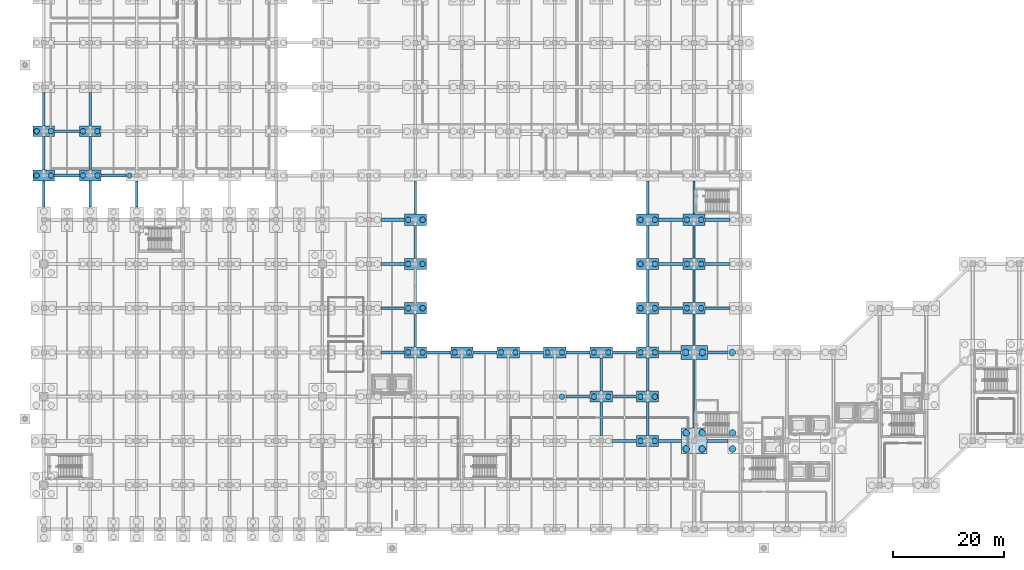
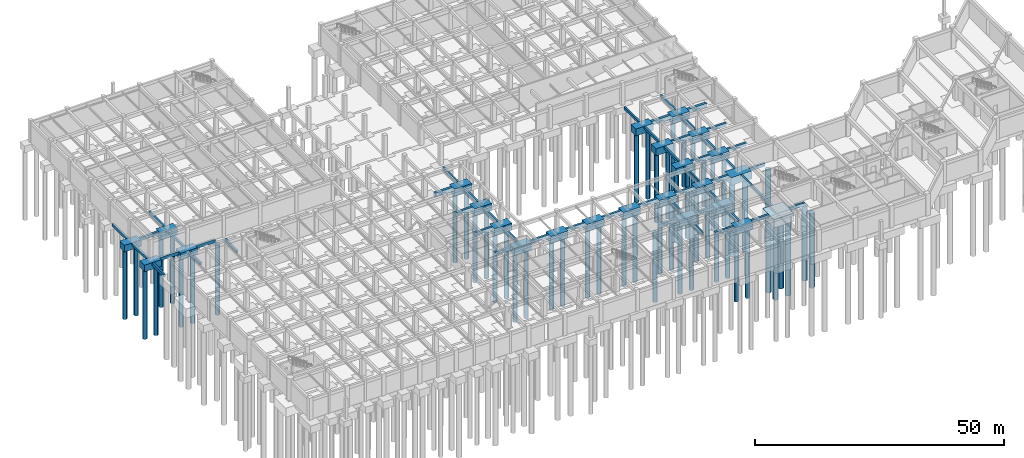
# One storey, part 5 of 56: 73 footings, 55 piles.
"""IFC4 building model written with IfcOpenShell, lengths in metres."""

from ifc_helpers import new_model, si_unit, direction, frame, origin, origin_2d, place, context, subcontext, project, spatial, rectangle, circle, extrude, material, material_profile, profile_set, type_object, element, save


model = new_model("IFC4")

# Units and contexts
model_context = context("Model", 3, precision=1e-05, world=origin(), true_north=direction((0.0, 1.0)))
body_context = subcontext(model_context, "Body", "Model", "MODEL_VIEW")
ifc_project = project(units=[si_unit("LENGTHUNIT", "METRE"), si_unit("AREAUNIT", "SQUARE_METRE"), si_unit("VOLUMEUNIT", "CUBIC_METRE"), si_unit("PLANEANGLEUNIT", "RADIAN"), si_unit("MASSUNIT", "GRAM", prefix="KILO")], contexts=[model_context])

# Site, building, storey
site_placement = place(None, origin())
site = spatial("IfcSite", under=ifc_project, at=site_placement, CompositionType="ELEMENT")
building_placement = place(site_placement, origin())
building = spatial("IfcBuilding", under=site, at=building_placement, Name="Naruveol Harbour Congress Hotel", CompositionType="ELEMENT")
storey_placement = place(building_placement, frame((0.0, 0.0, -5.39990234375)))
storey = spatial("IfcBuildingStorey", under=building, at=storey_placement, Name="B01", CompositionType="ELEMENT", Elevation=-5.39990234375)

# Piles
ifc_material_1 = material(Name="Concrete C40/50", Category="concrete")
ifc_material_profile_1 = material_profile(ifc_material_1, circle(Radius=0.5, at=origin_2d()), Name="BP-1000")
ifc_profile_set_1 = profile_set([ifc_material_profile_1], Name="Concrete C40/50")
pile_type_1 = type_object("IfcPileType", Name="BORED ROCK SOCKETED PILE D1000", PredefinedType="BORED", material=ifc_profile_set_1)
for number, where, z_axis, x_axis, name in (
    (1, (-1.300048828125, 64.0, -1.4501953125), (0.0, 0.0, -1.0), (1.0, 0.0, 0.0), "Bored pile BP-1000 #1 under FTG-CAP-0000-0640"),
    (2, (1.300048828125, 64.0, -1.4501953125), (0.0, 0.0, -1.0), (1.0, 0.0, 0.0), "Bored pile BP-1000 #2 under FTG-CAP-0000-0640"),
    (3, (-1.300048828125, 72.0, -1.4501953125), (0.0, 0.0, -1.0), (1.0, 0.0, 0.0), "Bored pile BP-1000 #1 under FTG-CAP-0000-0720"),
    (4, (1.300048828125, 72.0, -1.4501953125), (0.0, 0.0, -1.0), (1.0, 0.0, 0.0), "Bored pile BP-1000 #2 under FTG-CAP-0000-0720"),
    (5, (7.10009765625, 64.0, -1.4501953125), (0.0, 0.0, -1.0), (1.0, 0.0, 0.0), "Bored pile BP-1000 #1 under FTG-CAP-0084-0640"),
    (6, (9.699951171875, 64.0, -1.4501953125), (0.0, 0.0, -1.0), (1.0, 0.0, 0.0), "Bored pile BP-1000 #2 under FTG-CAP-0084-0640"),
    (7, (7.10009765625, 72.0, -1.4501953125), (0.0, 0.0, -1.0), (1.0, 0.0, 0.0), "Bored pile BP-1000 #1 under FTG-CAP-0084-0720"),
    (8, (9.699951171875, 72.0, -1.4501953125), (0.0, 0.0, -1.0), (1.0, 0.0, 0.0), "Bored pile BP-1000 #2 under FTG-CAP-0084-0720"),
    (9, (15.5, 64.0, -1.4501953125), (0.0, 0.0, -1.0), (1.0, 0.0, 0.0), "Bored pile BP-1000 #1 under FTG-CAP-0168-0640"),
):
    element("IfcPile", number, at=place(storey_placement, frame(where, z_axis=z_axis, x_axis=x_axis)), inside=storey, type_object=pile_type_1, Name=name, PredefinedType="BORED", context=body_context, shape_type="SweptSolid", body=[
        extrude(circle(Radius=0.5, at=origin_2d()), origin(), (0.0, 0.0, 1.0), 17.14990234375),
    ])
for number, where, z_axis, x_axis, name in (
    (10, (65.89990234375, 32.0, -1.550048828125), (0.0, 0.0, -1.0), (1.0, 0.0, 0.0), "Bored pile BP-1000 #1 under FTG-CAP-0672-0320"),
    (11, (68.5, 32.0, -1.550048828125), (0.0, 0.0, -1.0), (1.0, 0.0, 0.0), "Bored pile BP-1000 #2 under FTG-CAP-0672-0320"),
    (12, (65.89990234375, 40.0, -1.550048828125), (0.0, 0.0, -1.0), (1.0, 0.0, 0.0), "Bored pile BP-1000 #1 under FTG-CAP-0672-0400"),
    (13, (68.5, 40.0, -1.550048828125), (0.0, 0.0, -1.0), (1.0, 0.0, 0.0), "Bored pile BP-1000 #2 under FTG-CAP-0672-0400"),
    (14, (65.89990234375, 48.0, -1.550048828125), (0.0, 0.0, -1.0), (1.0, 0.0, 0.0), "Bored pile BP-1000 #1 under FTG-CAP-0672-0480"),
    (15, (68.5, 48.0, -1.550048828125), (0.0, 0.0, -1.0), (1.0, 0.0, 0.0), "Bored pile BP-1000 #2 under FTG-CAP-0672-0480"),
    (16, (65.89990234375, 56.0, -1.550048828125), (0.0, 0.0, -1.0), (1.0, 0.0, 0.0), "Bored pile BP-1000 #1 under FTG-CAP-0672-0560"),
    (17, (68.5, 56.0, -1.550048828125), (0.0, 0.0, -1.0), (1.0, 0.0, 0.0), "Bored pile BP-1000 #2 under FTG-CAP-0672-0560"),
    (18, (74.300048828125, 32.0, -1.550048828125), (0.0, 0.0, -1.0), (1.0, 0.0, 0.0), "Bored pile BP-1000 #1 under FTG-CAP-0756-0320"),
    (19, (76.89990234375, 32.0, -1.550048828125), (0.0, 0.0, -1.0), (1.0, 0.0, 0.0), "Bored pile BP-1000 #2 under FTG-CAP-0756-0320"),
    (20, (82.699951171875, 32.0, -1.550048828125), (0.0, 0.0, -1.0), (1.0, 0.0, 0.0), "Bored pile BP-1000 #1 under FTG-CAP-0840-0320"),
    (21, (85.300048828125, 32.0, -1.550048828125), (0.0, 0.0, -1.0), (1.0, 0.0, 0.0), "Bored pile BP-1000 #2 under FTG-CAP-0840-0320"),
    (22, (93.699951171875, 24.0, -1.550048828125), (0.0, 0.0, -1.0), (1.0, 0.0, 0.0), "Bored pile BP-1000 #2 under FTG-CAP-0924-0240"),
    (23, (91.10009765625, 32.0, -1.550048828125), (0.0, 0.0, -1.0), (1.0, 0.0, 0.0), "Bored pile BP-1000 #1 under FTG-CAP-0924-0320"),
    (24, (93.699951171875, 32.0, -1.550048828125), (0.0, 0.0, -1.0), (1.0, 0.0, 0.0), "Bored pile BP-1000 #2 under FTG-CAP-0924-0320"),
    (25, (99.5, 24.0, -1.550048828125), (0.0, 0.0, -1.0), (1.0, 0.0, 0.0), "Bored pile BP-1000 #1 under FTG-CAP-1008-0240"),
    (26, (102.10009765625, 24.0, -1.550048828125), (0.0, 0.0, -1.0), (1.0, 0.0, 0.0), "Bored pile BP-1000 #2 under FTG-CAP-1008-0240"),
    (27, (99.5, 32.0, -1.550048828125), (0.0, 0.0, -1.0), (1.0, 0.0, 0.0), "Bored pile BP-1000 #1 under FTG-CAP-1008-0320"),
    (28, (102.10009765625, 32.0, -1.550048828125), (0.0, 0.0, -1.0), (1.0, 0.0, 0.0), "Bored pile BP-1000 #2 under FTG-CAP-1008-0320"),
    (29, (107.89990234375, 16.0, -1.550048828125), (0.0, 0.0, -1.0), (1.0, 0.0, 0.0), "Bored pile BP-1000 #1 under FTG-CAP-1092-0160"),
    (30, (110.5, 16.0, -1.550048828125), (0.0, 0.0, -1.0), (1.0, 0.0, 0.0), "Bored pile BP-1000 #2 under FTG-CAP-1092-0160"),
    (31, (107.89990234375, 24.0, -1.550048828125), (0.0, 0.0, -1.0), (1.0, 0.0, 0.0), "Bored pile BP-1000 #1 under FTG-CAP-1092-0240"),
    (32, (110.5, 24.0, -1.550048828125), (0.0, 0.0, -1.0), (1.0, 0.0, 0.0), "Bored pile BP-1000 #2 under FTG-CAP-1092-0240"),
    (33, (107.89990234375, 32.0, -1.550048828125), (0.0, 0.0, -1.0), (1.0, 0.0, 0.0), "Bored pile BP-1000 #1 under FTG-CAP-1092-0320"),
    (34, (110.5, 32.0, -1.550048828125), (0.0, 0.0, -1.0), (1.0, 0.0, 0.0), "Bored pile BP-1000 #2 under FTG-CAP-1092-0320"),
    (35, (107.89990234375, 40.0, -1.550048828125), (0.0, 0.0, -1.0), (1.0, 0.0, 0.0), "Bored pile BP-1000 #1 under FTG-CAP-1092-0400"),
    (36, (110.5, 40.0, -1.550048828125), (0.0, 0.0, -1.0), (1.0, 0.0, 0.0), "Bored pile BP-1000 #2 under FTG-CAP-1092-0400"),
    (37, (107.89990234375, 48.0, -1.550048828125), (0.0, 0.0, -1.0), (1.0, 0.0, 0.0), "Bored pile BP-1000 #1 under FTG-CAP-1092-0480"),
    (38, (110.5, 48.0, -1.550048828125), (0.0, 0.0, -1.0), (1.0, 0.0, 0.0), "Bored pile BP-1000 #2 under FTG-CAP-1092-0480"),
    (39, (107.89990234375, 56.0, -1.550048828125), (0.0, 0.0, -1.0), (1.0, 0.0, 0.0), "Bored pile BP-1000 #1 under FTG-CAP-1092-0560"),
    (40, (110.5, 56.0, -1.550048828125), (0.0, 0.0, -1.0), (1.0, 0.0, 0.0), "Bored pile BP-1000 #2 under FTG-CAP-1092-0560"),
    (41, (116.300048828125, 40.0, -1.550048828125), (0.0, 0.0, -1.0), (1.0, 0.0, 0.0), "Bored pile BP-1000 #1 under FTG-CAP-1176-0400"),
    (42, (118.89990234375, 40.0, -1.550048828125), (0.0, 0.0, -1.0), (1.0, 0.0, 0.0), "Bored pile BP-1000 #2 under FTG-CAP-1176-0400"),
    (43, (116.300048828125, 48.0, -1.550048828125), (0.0, 0.0, -1.0), (1.0, 0.0, 0.0), "Bored pile BP-1000 #1 under FTG-CAP-1176-0480"),
    (44, (118.89990234375, 48.0, -1.550048828125), (0.0, 0.0, -1.0), (1.0, 0.0, 0.0), "Bored pile BP-1000 #2 under FTG-CAP-1176-0480"),
    (45, (116.300048828125, 56.0, -1.550048828125), (0.0, 0.0, -1.0), (1.0, 0.0, 0.0), "Bored pile BP-1000 #1 under FTG-CAP-1176-0560"),
    (46, (118.89990234375, 56.0, -1.550048828125), (0.0, 0.0, -1.0), (1.0, 0.0, 0.0), "Bored pile BP-1000 #2 under FTG-CAP-1176-0560"),
):
    element("IfcPile", number, at=place(storey_placement, frame(where, z_axis=z_axis, x_axis=x_axis)), inside=storey, type_object=pile_type_1, Name=name, PredefinedType="BORED", context=body_context, shape_type="SweptSolid", body=[
        extrude(circle(Radius=0.5, at=origin_2d()), origin(), (0.0, 0.0, 1.0), 17.050048828125),
    ])
ifc_material_2 = material(Name="Concrete C40/50", Category="concrete")
ifc_material_profile_2 = material_profile(ifc_material_2, circle(Radius=0.60009765625, at=origin_2d()), Name="BP-1200")
ifc_profile_set_2 = profile_set([ifc_material_profile_2], Name="Concrete C40/50")
pile_type_2 = type_object("IfcPileType", Name="BORED ROCK SOCKETED PILE D1200", PredefinedType="BORED", material=ifc_profile_set_2)
for number, where, z_axis, x_axis, name in (
    (47, (116.14990234375, 14.550048828125, -1.85009765625), (0.0, 0.0, -1.0), (1.0, 0.0, 0.0), "Bored pile BP-1200 #1 under FTG-CAP-1176-0160"),
    (48, (119.050048828125, 14.550048828125, -1.85009765625), (0.0, 0.0, -1.0), (1.0, 0.0, 0.0), "Bored pile BP-1200 #2 under FTG-CAP-1176-0160"),
    (49, (116.14990234375, 17.449951171875, -1.85009765625), (0.0, 0.0, -1.0), (1.0, 0.0, 0.0), "Bored pile BP-1200 #3 under FTG-CAP-1176-0160"),
    (50, (119.050048828125, 17.449951171875, -1.85009765625), (0.0, 0.0, -1.0), (1.0, 0.0, 0.0), "Bored pile BP-1200 #4 under FTG-CAP-1176-0160"),
):
    element("IfcPile", number, at=place(storey_placement, frame(where, z_axis=z_axis, x_axis=x_axis)), inside=storey, type_object=pile_type_2, Name=name, PredefinedType="BORED", context=body_context, shape_type="SweptSolid", body=[
        extrude(circle(Radius=0.60009765625, at=origin_2d()), origin(), (0.0, 0.0, 1.0), 18.25),
    ])
for number, where, z_axis, x_axis, name in (
    (51, (116.10009765625, 32.0, -1.75), (0.0, 0.0, -1.0), (1.0, 0.0, 0.0), "Bored pile BP-1200 #1 under FTG-CAP-1176-0320"),
    (52, (119.10009765625, 32.0, -1.75), (0.0, 0.0, -1.0), (1.0, 0.0, 0.0), "Bored pile BP-1200 #2 under FTG-CAP-1176-0320"),
):
    element("IfcPile", number, at=place(storey_placement, frame(where, z_axis=z_axis, x_axis=x_axis)), inside=storey, type_object=pile_type_2, Name=name, PredefinedType="BORED", context=body_context, shape_type="SweptSolid", body=[
        extrude(circle(Radius=0.60009765625, at=origin_2d()), origin(), (0.0, 0.0, 1.0), 18.35009765625),
    ])
for number, where, z_axis, x_axis, name in (
    (53, (124.550048828125, 14.550048828125, -1.85009765625), (0.0, 0.0, -1.0), (1.0, 0.0, 0.0), "Bored pile BP-1200 #1 under FTG-CAP-1260-0160"),
    (54, (124.550048828125, 17.449951171875, -1.85009765625), (0.0, 0.0, -1.0), (1.0, 0.0, 0.0), "Bored pile BP-1200 #3 under FTG-CAP-1260-0160"),
):
    element("IfcPile", number, at=place(storey_placement, frame(where, z_axis=z_axis, x_axis=x_axis)), inside=storey, type_object=pile_type_2, Name=name, PredefinedType="BORED", context=body_context, shape_type="SweptSolid", body=[
        extrude(circle(Radius=0.60009765625, at=origin_2d()), origin(), (0.0, 0.0, 1.0), 18.25),
    ])
pile_placement = place(storey_placement, frame((124.5, 32.0, -1.75), z_axis=(0.0, 0.0, -1.0), x_axis=(1.0, 0.0, 0.0)))
element("IfcPile", 55, at=pile_placement, inside=storey, type_object=pile_type_2, Name="Bored pile BP-1200 #1 under FTG-CAP-1260-0320", PredefinedType="BORED", context=body_context, shape_type="SweptSolid", body=[
    extrude(circle(Radius=0.60009765625, at=origin_2d()), origin(), (0.0, 0.0, 1.0), 18.35009765625),
])

# Footings
ifc_material_3 = material(Name="Concrete C40/50", Category="concrete")
ifc_material_profile_3 = material_profile(ifc_material_3, rectangle(XDim=0.39990234375, YDim=0.64990234375, at=origin_2d()), Name="RCB-400x650")
ifc_profile_set_3 = profile_set([ifc_material_profile_3], Name="Concrete C40/50")
footing_type_1 = type_object("IfcFootingType", Name="RC COLONNADE TIE BEAM 400X650", PredefinedType="FOOTING_BEAM", material=ifc_profile_set_3)
footing_1_placement = place(storey_placement, frame((8.39990234375, 58.300048828125, -0.3251953125), z_axis=(0.0, 1.0, 0.0), x_axis=(-1.0, 0.0, 0.0)))
element("IfcFooting", 56, at=footing_1_placement, inside=storey, type_object=footing_type_1, Name="Foundation tie beam TB4 #247", PredefinedType="FOOTING_BEAM", context=body_context, shape_type="SweptSolid", body=[
    extrude(rectangle(XDim=0.39990234375, YDim=0.64990234375, at=origin_2d()), origin(), (0.0, 0.0, 1.0), 4.75),
])
for number, where, z_axis, x_axis, name in (
    (57, (8.39990234375, 64.949951171875, -0.3251953125), (0.0, 1.0, 0.0), (-1.0, 0.0, 0.0), "Foundation tie beam TB4 #248"),
    (58, (8.39990234375, 72.949951171875, -0.3251953125), (0.0, 1.0, 0.0), (-1.0, 0.0, 0.0), "Foundation tie beam TB4 #249"),
):
    element("IfcFooting", number, at=place(storey_placement, frame(where, z_axis=z_axis, x_axis=x_axis)), inside=storey, type_object=footing_type_1, Name=name, PredefinedType="FOOTING_BEAM", context=body_context, shape_type="SweptSolid", body=[
        extrude(rectangle(XDim=0.39990234375, YDim=0.64990234375, at=origin_2d()), origin(), (0.0, 0.0, 1.0), 6.10009765625),
    ])
footing_2_placement = place(storey_placement, frame((16.800048828125, 58.300048828125, -0.3251953125), z_axis=(0.0, 1.0, 0.0), x_axis=(-1.0, 0.0, 0.0)))
element("IfcFooting", 59, at=footing_2_placement, inside=storey, type_object=footing_type_1, Name="Foundation tie beam TB4 #261", PredefinedType="FOOTING_BEAM", context=body_context, shape_type="SweptSolid", body=[
    extrude(rectangle(XDim=0.39990234375, YDim=0.64990234375, at=origin_2d()), origin(), (0.0, 0.0, 1.0), 4.75),
])
for number, where, z_axis, x_axis, name in (
    (60, (67.199951171875, 33.0, -0.3251953125), (0.0, 1.0, 0.0), (-1.0, 0.0, 0.0), "Foundation tie beam TB4 #338"),
    (61, (67.199951171875, 41.0, -0.3251953125), (0.0, 1.0, 0.0), (-1.0, 0.0, 0.0), "Foundation tie beam TB4 #339"),
    (62, (67.199951171875, 49.0, -0.3251953125), (0.0, 1.0, 0.0), (-1.0, 0.0, 0.0), "Foundation tie beam TB4 #340"),
    (63, (67.199951171875, 57.0, -0.3251953125), (0.0, 1.0, 0.0), (-1.0, 0.0, 0.0), "Foundation tie beam TB4 #341"),
    (64, (100.800048828125, 17.0, -0.3251953125), (0.0, 1.0, 0.0), (-1.0, 0.0, 0.0), "Foundation tie beam TB4 #380"),
    (65, (100.800048828125, 25.0, -0.3251953125), (0.0, 1.0, 0.0), (-1.0, 0.0, 0.0), "Foundation tie beam TB4 #381"),
    (66, (109.199951171875, 17.0, -0.3251953125), (0.0, 1.0, 0.0), (-1.0, 0.0, 0.0), "Foundation tie beam TB4 #390"),
    (67, (109.199951171875, 25.0, -0.3251953125), (0.0, 1.0, 0.0), (-1.0, 0.0, 0.0), "Foundation tie beam TB4 #391"),
    (68, (109.199951171875, 33.0, -0.3251953125), (0.0, 1.0, 0.0), (-1.0, 0.0, 0.0), "Foundation tie beam TB4 #392"),
    (69, (109.199951171875, 41.0, -0.3251953125), (0.0, 1.0, 0.0), (-1.0, 0.0, 0.0), "Foundation tie beam TB4 #393"),
    (70, (109.199951171875, 49.0, -0.3251953125), (0.0, 1.0, 0.0), (-1.0, 0.0, 0.0), "Foundation tie beam TB4 #394"),
    (71, (109.199951171875, 57.0, -0.3251953125), (0.0, 1.0, 0.0), (-1.0, 0.0, 0.0), "Foundation tie beam TB4 #395"),
):
    element("IfcFooting", number, at=place(storey_placement, frame(where, z_axis=z_axis, x_axis=x_axis)), inside=storey, type_object=footing_type_1, Name=name, PredefinedType="FOOTING_BEAM", context=body_context, shape_type="SweptSolid", body=[
        extrude(rectangle(XDim=0.39990234375, YDim=0.64990234375, at=origin_2d()), origin(), (0.0, 0.0, 1.0), 6.0),
    ])
footing_3_placement = place(storey_placement, frame((117.60009765625, 18.300048828125, -0.3251953125), z_axis=(0.0, 1.0, 0.0), x_axis=(-1.0, 0.0, 0.0)))
element("IfcFooting", 72, at=footing_3_placement, inside=storey, type_object=footing_type_1, Name="Foundation tie beam TB4 #404", PredefinedType="FOOTING_BEAM", context=body_context, shape_type="SweptSolid", body=[
    extrude(rectangle(XDim=0.39990234375, YDim=0.64990234375, at=origin_2d()), origin(), (0.0, 0.0, 1.0), 12.39990234375),
])
footing_4_placement = place(storey_placement, frame((117.60009765625, 33.300048828125, -0.3251953125), z_axis=(0.0, 1.0, 0.0), x_axis=(-1.0, 0.0, 0.0)))
element("IfcFooting", 73, at=footing_4_placement, inside=storey, type_object=footing_type_1, Name="Foundation tie beam TB4 #405", PredefinedType="FOOTING_BEAM", context=body_context, shape_type="SweptSolid", body=[
    extrude(rectangle(XDim=0.39990234375, YDim=0.64990234375, at=origin_2d()), origin(), (0.0, 0.0, 1.0), 5.699951171875),
])
for number, where, z_axis, x_axis, name in (
    (74, (117.60009765625, 41.0, -0.3251953125), (0.0, 1.0, 0.0), (-1.0, 0.0, 0.0), "Foundation tie beam TB4 #406"),
    (75, (117.60009765625, 49.0, -0.3251953125), (0.0, 1.0, 0.0), (-1.0, 0.0, 0.0), "Foundation tie beam TB4 #407"),
    (76, (117.60009765625, 57.0, -0.3251953125), (0.0, 1.0, 0.0), (-1.0, 0.0, 0.0), "Foundation tie beam TB4 #408"),
):
    element("IfcFooting", number, at=place(storey_placement, frame(where, z_axis=z_axis, x_axis=x_axis)), inside=storey, type_object=footing_type_1, Name=name, PredefinedType="FOOTING_BEAM", context=body_context, shape_type="SweptSolid", body=[
        extrude(rectangle(XDim=0.39990234375, YDim=0.64990234375, at=origin_2d()), origin(), (0.0, 0.0, 1.0), 6.0),
    ])
ifc_material_4 = material(Name="Concrete C40/50", Category="concrete")
ifc_material_profile_4 = material_profile(ifc_material_4, rectangle(XDim=0.5, YDim=0.75, at=origin_2d()), Name="RCB-500x750")
ifc_profile_set_4 = profile_set([ifc_material_profile_4], Name="Concrete C40/50")
footing_type_2 = type_object("IfcFootingType", Name="RC FOUNDATION TIE BEAM 500X750", PredefinedType="FOOTING_BEAM", material=ifc_profile_set_4)
footing_5_placement = place(storey_placement, frame((102.800048828125, 16.0, -0.375), z_axis=(1.0, 0.0, 0.0), x_axis=(0.0, 1.0, 0.0)))
element("IfcFooting", 77, at=footing_5_placement, inside=storey, type_object=footing_type_2, Name="Foundation tie beam TB2 #51", PredefinedType="FOOTING_BEAM", context=body_context, shape_type="SweptSolid", body=[
    extrude(rectangle(XDim=0.5, YDim=0.75, at=origin_2d()), origin(), (0.0, 0.0, 1.0), 4.39990234375),
])
footing_6_placement = place(storey_placement, frame((111.199951171875, 16.0, -0.375), z_axis=(1.0, 0.0, 0.0), x_axis=(0.0, 1.0, 0.0)))
element("IfcFooting", 78, at=footing_6_placement, inside=storey, type_object=footing_type_2, Name="Foundation tie beam TB2 #52", PredefinedType="FOOTING_BEAM", context=body_context, shape_type="SweptSolid", body=[
    extrude(rectangle(XDim=0.5, YDim=0.75, at=origin_2d()), origin(), (0.0, 0.0, 1.0), 4.10009765625),
])
footing_7_placement = place(storey_placement, frame((119.89990234375, 16.0, -0.375), z_axis=(1.0, 0.0, 0.0), x_axis=(0.0, 1.0, 0.0)))
element("IfcFooting", 79, at=footing_7_placement, inside=storey, type_object=footing_type_2, Name="Foundation tie beam TB2 #53", PredefinedType="FOOTING_BEAM", context=body_context, shape_type="SweptSolid", body=[
    extrude(rectangle(XDim=0.5, YDim=0.75, at=origin_2d()), origin(), (0.0, 0.0, 1.0), 3.800048828125),
])
footing_8_placement = place(storey_placement, frame((94.39990234375, 24.0, -0.375), z_axis=(1.0, 0.0, 0.0), x_axis=(0.0, 1.0, 0.0)))
element("IfcFooting", 80, at=footing_8_placement, inside=storey, type_object=footing_type_2, Name="Foundation tie beam TB2 #68", PredefinedType="FOOTING_BEAM", context=body_context, shape_type="SweptSolid", body=[
    extrude(rectangle(XDim=0.5, YDim=0.75, at=origin_2d()), origin(), (0.0, 0.0, 1.0), 4.400146484375),
])
footing_9_placement = place(storey_placement, frame((102.800048828125, 24.0, -0.375), z_axis=(1.0, 0.0, 0.0), x_axis=(0.0, 1.0, 0.0)))
element("IfcFooting", 81, at=footing_9_placement, inside=storey, type_object=footing_type_2, Name="Foundation tie beam TB2 #69", PredefinedType="FOOTING_BEAM", context=body_context, shape_type="SweptSolid", body=[
    extrude(rectangle(XDim=0.5, YDim=0.75, at=origin_2d()), origin(), (0.0, 0.0, 1.0), 4.39990234375),
])
footing_10_placement = place(storey_placement, frame((61.10009765625, 32.0, -0.375), z_axis=(1.0, 0.0, 0.0), x_axis=(0.0, 1.0, 0.0)))
element("IfcFooting", 82, at=footing_10_placement, inside=storey, type_object=footing_type_2, Name="Foundation tie beam TB2 #78", PredefinedType="FOOTING_BEAM", context=body_context, shape_type="SweptSolid", body=[
    extrude(rectangle(XDim=0.5, YDim=0.75, at=origin_2d()), origin(), (0.0, 0.0, 1.0), 4.099853515625),
])
footing_11_placement = place(storey_placement, frame((69.199951171875, 32.0, -0.375), z_axis=(1.0, 0.0, 0.0), x_axis=(0.0, 1.0, 0.0)))
element("IfcFooting", 83, at=footing_11_placement, inside=storey, type_object=footing_type_2, Name="Foundation tie beam TB2 #79", PredefinedType="FOOTING_BEAM", context=body_context, shape_type="SweptSolid", body=[
    extrude(rectangle(XDim=0.5, YDim=0.75, at=origin_2d()), origin(), (0.0, 0.0, 1.0), 4.400146484375),
])
for number, where, z_axis, x_axis, name in (
    (84, (77.60009765625, 32.0, -0.375), (1.0, 0.0, 0.0), (0.0, 1.0, 0.0), "Foundation tie beam TB2 #80"),
    (85, (86.0, 32.0, -0.375), (1.0, 0.0, 0.0), (0.0, 1.0, 0.0), "Foundation tie beam TB2 #81"),
):
    element("IfcFooting", number, at=place(storey_placement, frame(where, z_axis=z_axis, x_axis=x_axis)), inside=storey, type_object=footing_type_2, Name=name, PredefinedType="FOOTING_BEAM", context=body_context, shape_type="SweptSolid", body=[
        extrude(rectangle(XDim=0.5, YDim=0.75, at=origin_2d()), origin(), (0.0, 0.0, 1.0), 4.39990234375),
    ])
footing_12_placement = place(storey_placement, frame((94.39990234375, 32.0, -0.375), z_axis=(1.0, 0.0, 0.0), x_axis=(0.0, 1.0, 0.0)))
element("IfcFooting", 86, at=footing_12_placement, inside=storey, type_object=footing_type_2, Name="Foundation tie beam TB2 #82", PredefinedType="FOOTING_BEAM", context=body_context, shape_type="SweptSolid", body=[
    extrude(rectangle(XDim=0.5, YDim=0.75, at=origin_2d()), origin(), (0.0, 0.0, 1.0), 4.400146484375),
])
footing_13_placement = place(storey_placement, frame((102.800048828125, 32.0, -0.375), z_axis=(1.0, 0.0, 0.0), x_axis=(0.0, 1.0, 0.0)))
element("IfcFooting", 87, at=footing_13_placement, inside=storey, type_object=footing_type_2, Name="Foundation tie beam TB2 #83", PredefinedType="FOOTING_BEAM", context=body_context, shape_type="SweptSolid", body=[
    extrude(rectangle(XDim=0.5, YDim=0.75, at=origin_2d()), origin(), (0.0, 0.0, 1.0), 4.39990234375),
])
footing_14_placement = place(storey_placement, frame((111.199951171875, 32.0, -0.375), z_axis=(1.0, 0.0, 0.0), x_axis=(0.0, 1.0, 0.0)))
element("IfcFooting", 88, at=footing_14_placement, inside=storey, type_object=footing_type_2, Name="Foundation tie beam TB2 #84", PredefinedType="FOOTING_BEAM", context=body_context, shape_type="SweptSolid", body=[
    extrude(rectangle(XDim=0.5, YDim=0.75, at=origin_2d()), origin(), (0.0, 0.0, 1.0), 4.0),
])
footing_15_placement = place(storey_placement, frame((120.0, 32.0, -0.375), z_axis=(1.0, 0.0, 0.0), x_axis=(0.0, 1.0, 0.0)))
element("IfcFooting", 89, at=footing_15_placement, inside=storey, type_object=footing_type_2, Name="Foundation tie beam TB2 #85", PredefinedType="FOOTING_BEAM", context=body_context, shape_type="SweptSolid", body=[
    extrude(rectangle(XDim=0.5, YDim=0.75, at=origin_2d()), origin(), (0.0, 0.0, 1.0), 3.60009765625),
])
footing_16_placement = place(storey_placement, frame((61.10009765625, 40.0, -0.375), z_axis=(1.0, 0.0, 0.0), x_axis=(0.0, 1.0, 0.0)))
element("IfcFooting", 90, at=footing_16_placement, inside=storey, type_object=footing_type_2, Name="Foundation tie beam TB2 #96", PredefinedType="FOOTING_BEAM", context=body_context, shape_type="SweptSolid", body=[
    extrude(rectangle(XDim=0.5, YDim=0.75, at=origin_2d()), origin(), (0.0, 0.0, 1.0), 4.099853515625),
])
footing_17_placement = place(storey_placement, frame((111.199951171875, 40.0, -0.375), z_axis=(1.0, 0.0, 0.0), x_axis=(0.0, 1.0, 0.0)))
element("IfcFooting", 91, at=footing_17_placement, inside=storey, type_object=footing_type_2, Name="Foundation tie beam TB2 #97", PredefinedType="FOOTING_BEAM", context=body_context, shape_type="SweptSolid", body=[
    extrude(rectangle(XDim=0.5, YDim=0.75, at=origin_2d()), origin(), (0.0, 0.0, 1.0), 4.400146484375),
])
footing_18_placement = place(storey_placement, frame((119.60009765625, 40.0, -0.375), z_axis=(1.0, 0.0, 0.0), x_axis=(0.0, 1.0, 0.0)))
element("IfcFooting", 92, at=footing_18_placement, inside=storey, type_object=footing_type_2, Name="Foundation tie beam TB2 #98", PredefinedType="FOOTING_BEAM", context=body_context, shape_type="SweptSolid", body=[
    extrude(rectangle(XDim=0.5, YDim=0.75, at=origin_2d()), origin(), (0.0, 0.0, 1.0), 4.39990234375),
])
footing_19_placement = place(storey_placement, frame((61.10009765625, 48.0, -0.375), z_axis=(1.0, 0.0, 0.0), x_axis=(0.0, 1.0, 0.0)))
element("IfcFooting", 93, at=footing_19_placement, inside=storey, type_object=footing_type_2, Name="Foundation tie beam TB2 #107", PredefinedType="FOOTING_BEAM", context=body_context, shape_type="SweptSolid", body=[
    extrude(rectangle(XDim=0.5, YDim=0.75, at=origin_2d()), origin(), (0.0, 0.0, 1.0), 4.099853515625),
])
footing_20_placement = place(storey_placement, frame((111.199951171875, 48.0, -0.375), z_axis=(1.0, 0.0, 0.0), x_axis=(0.0, 1.0, 0.0)))
element("IfcFooting", 94, at=footing_20_placement, inside=storey, type_object=footing_type_2, Name="Foundation tie beam TB2 #108", PredefinedType="FOOTING_BEAM", context=body_context, shape_type="SweptSolid", body=[
    extrude(rectangle(XDim=0.5, YDim=0.75, at=origin_2d()), origin(), (0.0, 0.0, 1.0), 4.400146484375),
])
footing_21_placement = place(storey_placement, frame((119.60009765625, 48.0, -0.375), z_axis=(1.0, 0.0, 0.0), x_axis=(0.0, 1.0, 0.0)))
element("IfcFooting", 95, at=footing_21_placement, inside=storey, type_object=footing_type_2, Name="Foundation tie beam TB2 #109", PredefinedType="FOOTING_BEAM", context=body_context, shape_type="SweptSolid", body=[
    extrude(rectangle(XDim=0.5, YDim=0.75, at=origin_2d()), origin(), (0.0, 0.0, 1.0), 4.39990234375),
])
for number, where, z_axis, x_axis, name in (
    (96, (1.949951171875, 64.0, -0.375), (1.0, 0.0, 0.0), (0.0, 1.0, 0.0), "Foundation tie beam TB2 #127"),
    (97, (10.35009765625, 64.0, -0.375), (1.0, 0.0, 0.0), (0.0, 1.0, 0.0), "Foundation tie beam TB2 #128"),
    (98, (1.949951171875, 72.0, -0.375), (1.0, 0.0, 0.0), (0.0, 1.0, 0.0), "Foundation tie beam TB2 #142"),
):
    element("IfcFooting", number, at=place(storey_placement, frame(where, z_axis=z_axis, x_axis=x_axis)), inside=storey, type_object=footing_type_2, Name=name, PredefinedType="FOOTING_BEAM", context=body_context, shape_type="SweptSolid", body=[
        extrude(rectangle(XDim=0.5, YDim=0.75, at=origin_2d()), origin(), (0.0, 0.0, 1.0), 4.5),
    ])
ifc_material_5 = material(Name="Concrete C40/50", Category="concrete")
ifc_material_profile_5 = material_profile(ifc_material_5, rectangle(XDim=0.60009765625, YDim=0.949951171875, at=origin_2d()), Name="RCB-600x950")
ifc_profile_set_5 = profile_set([ifc_material_profile_5], Name="Concrete C40/50")
footing_type_3 = type_object("IfcFootingType", Name="RC FOUNDATION TIE BEAM 600X900", PredefinedType="FOOTING_BEAM", material=ifc_profile_set_5)
footing_22_placement = place(storey_placement, frame((61.10009765625, 56.0, -0.47509765625), z_axis=(1.0, 0.0, 0.0), x_axis=(0.0, 1.0, 0.0)))
element("IfcFooting", 99, at=footing_22_placement, inside=storey, type_object=footing_type_3, Name="Foundation tie beam TB1 #124", PredefinedType="FOOTING_BEAM", context=body_context, shape_type="SweptSolid", body=[
    extrude(rectangle(XDim=0.60009765625, YDim=0.949951171875, at=origin_2d()), origin(), (0.0, 0.0, 1.0), 4.099853515625),
])
footing_23_placement = place(storey_placement, frame((111.199951171875, 56.0, -0.47509765625), z_axis=(1.0, 0.0, 0.0), x_axis=(0.0, 1.0, 0.0)))
element("IfcFooting", 100, at=footing_23_placement, inside=storey, type_object=footing_type_3, Name="Foundation tie beam TB1 #125", PredefinedType="FOOTING_BEAM", context=body_context, shape_type="SweptSolid", body=[
    extrude(rectangle(XDim=0.60009765625, YDim=0.949951171875, at=origin_2d()), origin(), (0.0, 0.0, 1.0), 4.400146484375),
])
footing_24_placement = place(storey_placement, frame((119.60009765625, 56.0, -0.47509765625), z_axis=(1.0, 0.0, 0.0), x_axis=(0.0, 1.0, 0.0)))
element("IfcFooting", 101, at=footing_24_placement, inside=storey, type_object=footing_type_3, Name="Foundation tie beam TB1 #126", PredefinedType="FOOTING_BEAM", context=body_context, shape_type="SweptSolid", body=[
    extrude(rectangle(XDim=0.60009765625, YDim=0.949951171875, at=origin_2d()), origin(), (0.0, 0.0, 1.0), 4.39990234375),
])
ifc_material_6 = material(Name="Concrete C40/50", Category="concrete")
footing_type_4 = type_object("IfcFootingType", Name="RC HOTEL PILE CAP 4600X4600X2000", PredefinedType="PILE_CAP", material=ifc_material_6)
footing_25_placement = place(storey_placement, frame((117.60009765625, 16.0, -2.0), z_axis=(0.0, 0.0, 1.0), x_axis=(1.0, 0.0, 0.0)))
element("IfcFooting", 102, at=footing_25_placement, inside=storey, type_object=footing_type_4, Name="Pile cap PC3 at (117.6, 16.0)", PredefinedType="PILE_CAP", context=body_context, shape_type="SweptSolid", body=[
    extrude(rectangle(XDim=4.60009765625, YDim=4.60009765625, at=origin_2d()), origin(), (0.0, 0.0, 1.0), 2.0),
])
ifc_material_7 = material(Name="Concrete C40/50", Category="concrete")
ifc_material_profile_6 = material_profile(ifc_material_7, rectangle(XDim=0.449951171875, YDim=0.699951171875, at=origin_2d()), Name="RCB-450x700")
ifc_profile_set_6 = profile_set([ifc_material_profile_6], Name="Concrete C40/50")
footing_type_5 = type_object("IfcFootingType", Name="RC PERIMETER GRADE BEAM 450X700", PredefinedType="FOOTING_BEAM", material=ifc_profile_set_6)
footing_26_placement = place(storey_placement, frame((0.0, 58.300048828125, -0.35009765625), z_axis=(0.0, 1.0, 0.0), x_axis=(-1.0, 0.0, 0.0)))
element("IfcFooting", 103, at=footing_26_placement, inside=storey, type_object=footing_type_5, Name="Foundation tie beam TB3 #233", PredefinedType="FOOTING_BEAM", context=body_context, shape_type="SweptSolid", body=[
    extrude(rectangle(XDim=0.449951171875, YDim=0.699951171875, at=origin_2d()), origin(), (0.0, 0.0, 1.0), 4.75),
])
for number, where, z_axis, x_axis, name in (
    (104, (0.0, 64.949951171875, -0.35009765625), (0.0, 1.0, 0.0), (-1.0, 0.0, 0.0), "Foundation tie beam TB3 #234"),
    (105, (0.0, 72.949951171875, -0.35009765625), (0.0, 1.0, 0.0), (-1.0, 0.0, 0.0), "Foundation tie beam TB3 #235"),
):
    element("IfcFooting", number, at=place(storey_placement, frame(where, z_axis=z_axis, x_axis=x_axis)), inside=storey, type_object=footing_type_5, Name=name, PredefinedType="FOOTING_BEAM", context=body_context, shape_type="SweptSolid", body=[
        extrude(rectangle(XDim=0.449951171875, YDim=0.699951171875, at=origin_2d()), origin(), (0.0, 0.0, 1.0), 6.10009765625),
    ])
ifc_material_8 = material(Name="Concrete C40/50", Category="concrete")
footing_type_6 = type_object("IfcFootingType", Name="RC PODIUM PILE CAP 4000X2000X1700", PredefinedType="PILE_CAP", material=ifc_material_8)
for number, where, z_axis, x_axis, name in (
    (106, (67.199951171875, 32.0, -1.7001953125), (0.0, 0.0, 1.0), (1.0, 0.0, 0.0), "Pile cap PC6 at (67.2, 32.0)"),
    (107, (67.199951171875, 40.0, -1.7001953125), (0.0, 0.0, 1.0), (1.0, 0.0, 0.0), "Pile cap PC6 at (67.2, 40.0)"),
    (108, (67.199951171875, 48.0, -1.7001953125), (0.0, 0.0, 1.0), (1.0, 0.0, 0.0), "Pile cap PC6 at (67.2, 48.0)"),
    (109, (67.199951171875, 56.0, -1.7001953125), (0.0, 0.0, 1.0), (1.0, 0.0, 0.0), "Pile cap PC6 at (67.2, 56.0)"),
    (110, (75.60009765625, 32.0, -1.7001953125), (0.0, 0.0, 1.0), (1.0, 0.0, 0.0), "Pile cap PC6 at (75.6, 32.0)"),
    (111, (84.0, 32.0, -1.7001953125), (0.0, 0.0, 1.0), (1.0, 0.0, 0.0), "Pile cap PC6 at (84.0, 32.0)"),
    (112, (92.39990234375, 32.0, -1.7001953125), (0.0, 0.0, 1.0), (1.0, 0.0, 0.0), "Pile cap PC6 at (92.4, 32.0)"),
    (113, (100.800048828125, 24.0, -1.7001953125), (0.0, 0.0, 1.0), (1.0, 0.0, 0.0), "Pile cap PC6 at (100.8, 24.0)"),
    (114, (100.800048828125, 32.0, -1.7001953125), (0.0, 0.0, 1.0), (1.0, 0.0, 0.0), "Pile cap PC6 at (100.8, 32.0)"),
    (115, (109.199951171875, 16.0, -1.7001953125), (0.0, 0.0, 1.0), (1.0, 0.0, 0.0), "Pile cap PC6 at (109.2, 16.0)"),
    (116, (109.199951171875, 24.0, -1.7001953125), (0.0, 0.0, 1.0), (1.0, 0.0, 0.0), "Pile cap PC6 at (109.2, 24.0)"),
    (117, (109.199951171875, 32.0, -1.7001953125), (0.0, 0.0, 1.0), (1.0, 0.0, 0.0), "Pile cap PC6 at (109.2, 32.0)"),
    (118, (109.199951171875, 40.0, -1.7001953125), (0.0, 0.0, 1.0), (1.0, 0.0, 0.0), "Pile cap PC6 at (109.2, 40.0)"),
    (119, (109.199951171875, 48.0, -1.7001953125), (0.0, 0.0, 1.0), (1.0, 0.0, 0.0), "Pile cap PC6 at (109.2, 48.0)"),
    (120, (109.199951171875, 56.0, -1.7001953125), (0.0, 0.0, 1.0), (1.0, 0.0, 0.0), "Pile cap PC6 at (109.2, 56.0)"),
    (121, (117.60009765625, 40.0, -1.7001953125), (0.0, 0.0, 1.0), (1.0, 0.0, 0.0), "Pile cap PC6 at (117.6, 40.0)"),
    (122, (117.60009765625, 48.0, -1.7001953125), (0.0, 0.0, 1.0), (1.0, 0.0, 0.0), "Pile cap PC6 at (117.6, 48.0)"),
    (123, (117.60009765625, 56.0, -1.7001953125), (0.0, 0.0, 1.0), (1.0, 0.0, 0.0), "Pile cap PC6 at (117.6, 56.0)"),
):
    element("IfcFooting", number, at=place(storey_placement, frame(where, z_axis=z_axis, x_axis=x_axis)), inside=storey, type_object=footing_type_6, Name=name, PredefinedType="PILE_CAP", context=body_context, shape_type="SweptSolid", body=[
        extrude(rectangle(XDim=4.0, YDim=2.0, at=origin_2d()), origin(), (0.0, 0.0, 1.0), 1.699951171875),
    ])
ifc_material_9 = material(Name="Concrete C40/50", Category="concrete")
footing_type_7 = type_object("IfcFootingType", Name="RC TRANSFER PILE CAP 4800X2600X1900", PredefinedType="PILE_CAP", material=ifc_material_9)
footing_27_placement = place(storey_placement, frame((117.60009765625, 32.0, -1.900146484375), z_axis=(0.0, 0.0, 1.0), x_axis=(1.0, 0.0, 0.0)))
element("IfcFooting", 124, at=footing_27_placement, inside=storey, type_object=footing_type_7, Name="Pile cap PC4 at (117.6, 32.0)", PredefinedType="PILE_CAP", context=body_context, shape_type="SweptSolid", body=[
    extrude(rectangle(XDim=4.800048828125, YDim=2.60009765625, at=origin_2d()), origin(), (0.0, 0.0, 1.0), 1.89990234375),
])
ifc_material_10 = material(Name="Concrete C40/50", Category="concrete")
footing_type_8 = type_object("IfcFootingType", Name="RC WING PILE CAP 3900X1900X1600", PredefinedType="PILE_CAP", material=ifc_material_10)
for number, where, z_axis, x_axis, name in (
    (125, (0.0, 64.0, -1.60009765625), (0.0, 0.0, 1.0), (1.0, 0.0, 0.0), "Pile cap PC7 at (0.0, 64.0)"),
    (126, (0.0, 72.0, -1.60009765625), (0.0, 0.0, 1.0), (1.0, 0.0, 0.0), "Pile cap PC7 at (0.0, 72.0)"),
    (127, (8.39990234375, 64.0, -1.60009765625), (0.0, 0.0, 1.0), (1.0, 0.0, 0.0), "Pile cap PC7 at (8.4, 64.0)"),
    (128, (8.39990234375, 72.0, -1.60009765625), (0.0, 0.0, 1.0), (1.0, 0.0, 0.0), "Pile cap PC7 at (8.4, 72.0)"),
):
    element("IfcFooting", number, at=place(storey_placement, frame(where, z_axis=z_axis, x_axis=x_axis)), inside=storey, type_object=footing_type_8, Name=name, PredefinedType="PILE_CAP", context=body_context, shape_type="SweptSolid", body=[
        extrude(rectangle(XDim=3.89990234375, YDim=1.89990234375, at=origin_2d()), origin(), (0.0, 0.0, 1.0), 1.60009765625),
    ])

save(model, "model.ifc")
